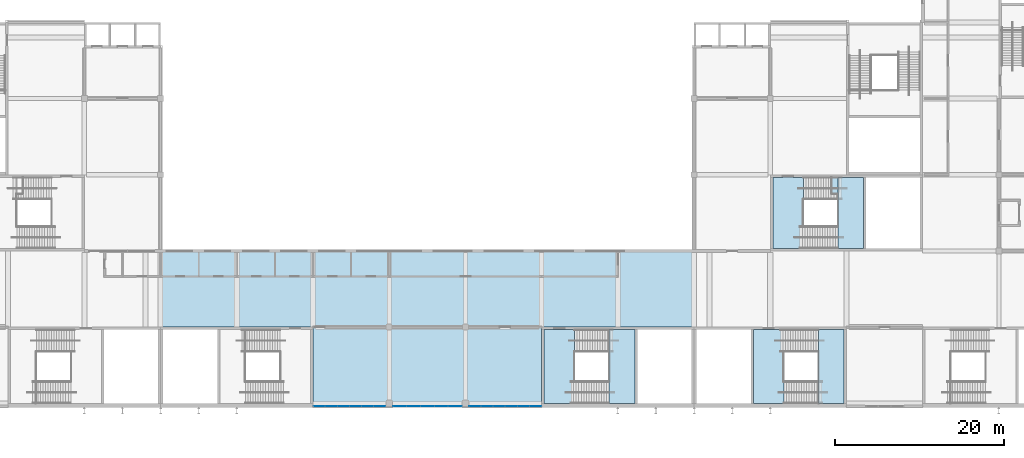
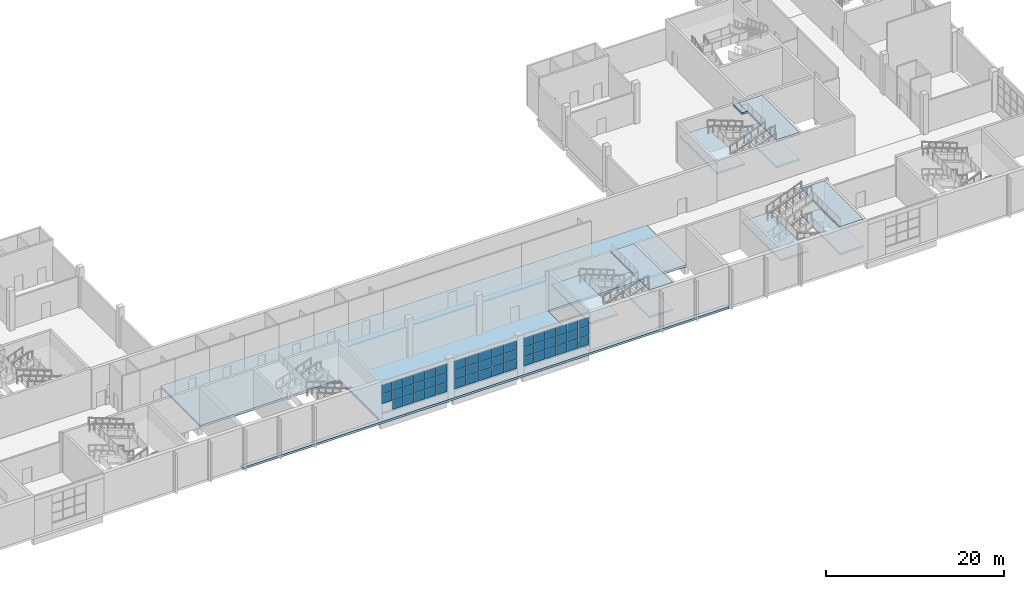
# One storey, part 27 of 84: 50 plates, 11 slabs, 6 elements without a shape of their own.
"""IFC4 building model written with IfcOpenShell, lengths in metres."""

from ifc_helpers import new_model, si_unit, direction, frame, origin, origin_2d, place, context, subcontext, project, spatial, polyline, rectangle, outline, extrude, material, layer, layer_set, type_object, element, aggregate, save


model = new_model("IFC4")

# Units and contexts
model_context = context("Model", 3, precision=1e-05, world=origin(), true_north=direction((0.0, 1.0)))
body_context = subcontext(model_context, "Body", "Model", "MODEL_VIEW")
ifc_project = project(units=[si_unit("LENGTHUNIT", "METRE"), si_unit("AREAUNIT", "SQUARE_METRE"), si_unit("VOLUMEUNIT", "CUBIC_METRE"), si_unit("PLANEANGLEUNIT", "RADIAN"), si_unit("MASSUNIT", "GRAM", prefix="KILO")], contexts=[model_context])

# Site, building, storey
site_placement = place(None, origin())
site = spatial("IfcSite", under=ifc_project, at=site_placement, CompositionType="ELEMENT")
building_placement = place(site_placement, origin())
building = spatial("IfcBuilding", under=site, at=building_placement, Name="Silverbay Arena", CompositionType="ELEMENT")
storey_placement = place(building_placement, frame((0.0, 0.0, 28.0)))
storey = spatial("IfcBuildingStorey", under=building, at=storey_placement, Name="L04", CompositionType="ELEMENT", Elevation=28.0)

# Curtain wall, plates
ifc_material_1 = material(Name="Aluminium framed curtain wall", Category="aluminium")
curtain_wall_type_1 = type_object("IfcCurtainWallType", Name="Curtain wall 8600 x 3900", PredefinedType="NOTDEFINED", material=ifc_material_1)
curtain_wall_1_placement = place(storey_placement, origin())
curtain_wall_1 = element("IfcCurtainWall", 1, at=curtain_wall_1_placement, inside=storey, type_object=curtain_wall_type_1, Name="South curtain wall L04 bay 8", PredefinedType="NOTDEFINED")
ifc_material_2 = material(Name="Laminated glass", Category="glass")
ifc_layer_1 = layer(ifc_material_2, 0.028076171875)
ifc_layer_set_1 = layer_set([ifc_layer_1], Name="Laminated glass")
plate_type = type_object("IfcPlateType", Name="Glass panel 28", PredefinedType="CURTAIN_PANEL", material=ifc_layer_set_1)
plate_1_placement = place(storey_placement, frame((117.731689453125, 17.669921875, 2.324951171875), z_axis=(0.0, 0.0, 1.0), x_axis=(1.0, 0.0, 0.0)))
plate_1 = element("IfcPlate", 2, at=plate_1_placement, type_object=plate_type, Name="CW1 panel 1.2", PredefinedType="CURTAIN_PANEL", context=body_context, shape_type="SweptSolid", body=[
    extrude(rectangle(XDim=1.34326171875, YDim=0.028076171875, at=origin_2d()), origin(), (0.0, 0.0, 1.0), 1.25),
])
plate_2_placement = place(storey_placement, frame((117.731689453125, 17.669921875, 3.625), z_axis=(0.0, 0.0, 1.0), x_axis=(1.0, 0.0, 0.0)))
plate_2 = element("IfcPlate", 3, at=plate_2_placement, type_object=plate_type, Name="CW1 panel 1.3", PredefinedType="CURTAIN_PANEL", context=body_context, shape_type="SweptSolid", body=[
    extrude(rectangle(XDim=1.34326171875, YDim=0.028076171875, at=origin_2d()), origin(), (0.0, 0.0, 1.0), 1.22509765625),
])
plate_3_placement = place(storey_placement, frame((119.14990234375, 17.669921875, 1.050048828125), z_axis=(0.0, 0.0, 1.0), x_axis=(1.0, 0.0, 0.0)))
plate_3 = element("IfcPlate", 4, at=plate_3_placement, type_object=plate_type, Name="CW1 panel 2.1", PredefinedType="CURTAIN_PANEL", context=body_context, shape_type="SweptSolid", body=[
    extrude(rectangle(XDim=1.373291015625, YDim=0.028076171875, at=origin_2d()), origin(), (0.0, 0.0, 1.0), 1.22509765625),
])
plate_4_placement = place(storey_placement, frame((119.14990234375, 17.669921875, 2.324951171875), z_axis=(0.0, 0.0, 1.0), x_axis=(1.0, 0.0, 0.0)))
plate_4 = element("IfcPlate", 5, at=plate_4_placement, type_object=plate_type, Name="CW1 panel 2.2", PredefinedType="CURTAIN_PANEL", context=body_context, shape_type="SweptSolid", body=[
    extrude(rectangle(XDim=1.373291015625, YDim=0.028076171875, at=origin_2d()), origin(), (0.0, 0.0, 1.0), 1.25),
])
plate_5_placement = place(storey_placement, frame((119.14990234375, 17.669921875, 3.625), z_axis=(0.0, 0.0, 1.0), x_axis=(1.0, 0.0, 0.0)))
plate_5 = element("IfcPlate", 6, at=plate_5_placement, type_object=plate_type, Name="CW1 panel 2.3", PredefinedType="CURTAIN_PANEL", context=body_context, shape_type="SweptSolid", body=[
    extrude(rectangle(XDim=1.373291015625, YDim=0.028076171875, at=origin_2d()), origin(), (0.0, 0.0, 1.0), 1.22509765625),
])
plate_6_placement = place(storey_placement, frame((120.583251953125, 17.669921875, 1.050048828125), z_axis=(0.0, 0.0, 1.0), x_axis=(1.0, 0.0, 0.0)))
plate_6 = element("IfcPlate", 7, at=plate_6_placement, type_object=plate_type, Name="CW1 panel 3.1", PredefinedType="CURTAIN_PANEL", context=body_context, shape_type="SweptSolid", body=[
    extrude(rectangle(XDim=1.373291015625, YDim=0.028076171875, at=origin_2d()), origin(), (0.0, 0.0, 1.0), 1.22509765625),
])
plate_7_placement = place(storey_placement, frame((120.583251953125, 17.669921875, 2.324951171875), z_axis=(0.0, 0.0, 1.0), x_axis=(1.0, 0.0, 0.0)))
plate_7 = element("IfcPlate", 8, at=plate_7_placement, type_object=plate_type, Name="CW1 panel 3.2", PredefinedType="CURTAIN_PANEL", context=body_context, shape_type="SweptSolid", body=[
    extrude(rectangle(XDim=1.373291015625, YDim=0.028076171875, at=origin_2d()), origin(), (0.0, 0.0, 1.0), 1.25),
])
plate_8_placement = place(storey_placement, frame((120.583251953125, 17.669921875, 3.625), z_axis=(0.0, 0.0, 1.0), x_axis=(1.0, 0.0, 0.0)))
plate_8 = element("IfcPlate", 9, at=plate_8_placement, type_object=plate_type, Name="CW1 panel 3.3", PredefinedType="CURTAIN_PANEL", context=body_context, shape_type="SweptSolid", body=[
    extrude(rectangle(XDim=1.373291015625, YDim=0.028076171875, at=origin_2d()), origin(), (0.0, 0.0, 1.0), 1.22509765625),
])
plate_9_placement = place(storey_placement, frame((122.0166015625, 17.669921875, 1.050048828125), z_axis=(0.0, 0.0, 1.0), x_axis=(1.0, 0.0, 0.0)))
plate_9 = element("IfcPlate", 10, at=plate_9_placement, type_object=plate_type, Name="CW1 panel 4.1", PredefinedType="CURTAIN_PANEL", context=body_context, shape_type="SweptSolid", body=[
    extrude(rectangle(XDim=1.373291015625, YDim=0.028076171875, at=origin_2d()), origin(), (0.0, 0.0, 1.0), 1.22509765625),
])
plate_10_placement = place(storey_placement, frame((122.0166015625, 17.669921875, 2.324951171875), z_axis=(0.0, 0.0, 1.0), x_axis=(1.0, 0.0, 0.0)))
plate_10 = element("IfcPlate", 11, at=plate_10_placement, type_object=plate_type, Name="CW1 panel 4.2", PredefinedType="CURTAIN_PANEL", context=body_context, shape_type="SweptSolid", body=[
    extrude(rectangle(XDim=1.373291015625, YDim=0.028076171875, at=origin_2d()), origin(), (0.0, 0.0, 1.0), 1.25),
])
plate_11_placement = place(storey_placement, frame((122.0166015625, 17.669921875, 3.625), z_axis=(0.0, 0.0, 1.0), x_axis=(1.0, 0.0, 0.0)))
plate_11 = element("IfcPlate", 12, at=plate_11_placement, type_object=plate_type, Name="CW1 panel 4.3", PredefinedType="CURTAIN_PANEL", context=body_context, shape_type="SweptSolid", body=[
    extrude(rectangle(XDim=1.373291015625, YDim=0.028076171875, at=origin_2d()), origin(), (0.0, 0.0, 1.0), 1.22509765625),
])
plate_12_placement = place(storey_placement, frame((123.449951171875, 17.669921875, 1.050048828125), z_axis=(0.0, 0.0, 1.0), x_axis=(1.0, 0.0, 0.0)))
plate_12 = element("IfcPlate", 13, at=plate_12_placement, type_object=plate_type, Name="CW1 panel 5.1", PredefinedType="CURTAIN_PANEL", context=body_context, shape_type="SweptSolid", body=[
    extrude(rectangle(XDim=1.373291015625, YDim=0.028076171875, at=origin_2d()), origin(), (0.0, 0.0, 1.0), 1.22509765625),
])
plate_13_placement = place(storey_placement, frame((123.449951171875, 17.669921875, 2.324951171875), z_axis=(0.0, 0.0, 1.0), x_axis=(1.0, 0.0, 0.0)))
plate_13 = element("IfcPlate", 14, at=plate_13_placement, type_object=plate_type, Name="CW1 panel 5.2", PredefinedType="CURTAIN_PANEL", context=body_context, shape_type="SweptSolid", body=[
    extrude(rectangle(XDim=1.373291015625, YDim=0.028076171875, at=origin_2d()), origin(), (0.0, 0.0, 1.0), 1.25),
])
plate_14_placement = place(storey_placement, frame((123.449951171875, 17.669921875, 3.625), z_axis=(0.0, 0.0, 1.0), x_axis=(1.0, 0.0, 0.0)))
plate_14 = element("IfcPlate", 15, at=plate_14_placement, type_object=plate_type, Name="CW1 panel 5.3", PredefinedType="CURTAIN_PANEL", context=body_context, shape_type="SweptSolid", body=[
    extrude(rectangle(XDim=1.373291015625, YDim=0.028076171875, at=origin_2d()), origin(), (0.0, 0.0, 1.0), 1.22509765625),
])
plate_15_placement = place(storey_placement, frame((124.868408203125, 17.669921875, 1.050048828125), z_axis=(0.0, 0.0, 1.0), x_axis=(1.0, 0.0, 0.0)))
plate_15 = element("IfcPlate", 16, at=plate_15_placement, type_object=plate_type, Name="CW1 panel 6.1", PredefinedType="CURTAIN_PANEL", context=body_context, shape_type="SweptSolid", body=[
    extrude(rectangle(XDim=1.34326171875, YDim=0.028076171875, at=origin_2d()), origin(), (0.0, 0.0, 1.0), 1.22509765625),
])
plate_16_placement = place(storey_placement, frame((124.868408203125, 17.669921875, 2.324951171875), z_axis=(0.0, 0.0, 1.0), x_axis=(1.0, 0.0, 0.0)))
plate_16 = element("IfcPlate", 17, at=plate_16_placement, type_object=plate_type, Name="CW1 panel 6.2", PredefinedType="CURTAIN_PANEL", context=body_context, shape_type="SweptSolid", body=[
    extrude(rectangle(XDim=1.34326171875, YDim=0.028076171875, at=origin_2d()), origin(), (0.0, 0.0, 1.0), 1.25),
])
plate_17_placement = place(storey_placement, frame((124.868408203125, 17.669921875, 3.625), z_axis=(0.0, 0.0, 1.0), x_axis=(1.0, 0.0, 0.0)))
plate_17 = element("IfcPlate", 18, at=plate_17_placement, type_object=plate_type, Name="CW1 panel 6.3", PredefinedType="CURTAIN_PANEL", context=body_context, shape_type="SweptSolid", body=[
    extrude(rectangle(XDim=1.34326171875, YDim=0.028076171875, at=origin_2d()), origin(), (0.0, 0.0, 1.0), 1.22509765625),
])
aggregate(curtain_wall_1, [plate_1, plate_2, plate_3, plate_4, plate_5, plate_6, plate_7, plate_8, plate_9, plate_10, plate_11, plate_12, plate_13, plate_14, plate_15, plate_16, plate_17])

ifc_material_3 = material(Name="Aluminium framed curtain wall", Category="aluminium")
curtain_wall_type_2 = type_object("IfcCurtainWallType", Name="Curtain wall 8200 x 3900", PredefinedType="NOTDEFINED", material=ifc_material_3)
curtain_wall_2_placement = place(storey_placement, origin())
curtain_wall_2 = element("IfcCurtainWall", 19, at=curtain_wall_2_placement, inside=storey, type_object=curtain_wall_type_2, Name="South curtain wall L04 bay 9", PredefinedType="NOTDEFINED")
plate_18_placement = place(storey_placement, frame((127.235107421875, 17.669921875, 1.050048828125), z_axis=(0.0, 0.0, 1.0), x_axis=(1.0, 0.0, 0.0)))
plate_18 = element("IfcPlate", 20, at=plate_18_placement, type_object=plate_type, Name="CW16 panel 1.1", PredefinedType="CURTAIN_PANEL", context=body_context, shape_type="SweptSolid", body=[
    extrude(rectangle(XDim=1.550048828125, YDim=0.028076171875, at=origin_2d()), origin(), (0.0, 0.0, 1.0), 1.22509765625),
])
plate_19_placement = place(storey_placement, frame((127.235107421875, 17.669921875, 2.324951171875), z_axis=(0.0, 0.0, 1.0), x_axis=(1.0, 0.0, 0.0)))
plate_19 = element("IfcPlate", 21, at=plate_19_placement, type_object=plate_type, Name="CW16 panel 1.2", PredefinedType="CURTAIN_PANEL", context=body_context, shape_type="SweptSolid", body=[
    extrude(rectangle(XDim=1.550048828125, YDim=0.028076171875, at=origin_2d()), origin(), (0.0, 0.0, 1.0), 1.25),
])
plate_20_placement = place(storey_placement, frame((127.235107421875, 17.669921875, 3.625), z_axis=(0.0, 0.0, 1.0), x_axis=(1.0, 0.0, 0.0)))
plate_20 = element("IfcPlate", 22, at=plate_20_placement, type_object=plate_type, Name="CW16 panel 1.3", PredefinedType="CURTAIN_PANEL", context=body_context, shape_type="SweptSolid", body=[
    extrude(rectangle(XDim=1.550048828125, YDim=0.028076171875, at=origin_2d()), origin(), (0.0, 0.0, 1.0), 1.22509765625),
])
plate_21_placement = place(storey_placement, frame((128.860107421875, 17.669921875, 1.050048828125), z_axis=(0.0, 0.0, 1.0), x_axis=(1.0, 0.0, 0.0)))
plate_21 = element("IfcPlate", 23, at=plate_21_placement, type_object=plate_type, Name="CW16 panel 2.1", PredefinedType="CURTAIN_PANEL", context=body_context, shape_type="SweptSolid", body=[
    extrude(rectangle(XDim=1.580078125, YDim=0.028076171875, at=origin_2d()), origin(), (0.0, 0.0, 1.0), 1.22509765625),
])
plate_22_placement = place(storey_placement, frame((128.860107421875, 17.669921875, 2.324951171875), z_axis=(0.0, 0.0, 1.0), x_axis=(1.0, 0.0, 0.0)))
plate_22 = element("IfcPlate", 24, at=plate_22_placement, type_object=plate_type, Name="CW16 panel 2.2", PredefinedType="CURTAIN_PANEL", context=body_context, shape_type="SweptSolid", body=[
    extrude(rectangle(XDim=1.580078125, YDim=0.028076171875, at=origin_2d()), origin(), (0.0, 0.0, 1.0), 1.25),
])
plate_23_placement = place(storey_placement, frame((128.860107421875, 17.669921875, 3.625), z_axis=(0.0, 0.0, 1.0), x_axis=(1.0, 0.0, 0.0)))
plate_23 = element("IfcPlate", 25, at=plate_23_placement, type_object=plate_type, Name="CW16 panel 2.3", PredefinedType="CURTAIN_PANEL", context=body_context, shape_type="SweptSolid", body=[
    extrude(rectangle(XDim=1.580078125, YDim=0.028076171875, at=origin_2d()), origin(), (0.0, 0.0, 1.0), 1.22509765625),
])
plate_24_placement = place(storey_placement, frame((130.5, 17.669921875, 1.050048828125), z_axis=(0.0, 0.0, 1.0), x_axis=(1.0, 0.0, 0.0)))
plate_24 = element("IfcPlate", 26, at=plate_24_placement, type_object=plate_type, Name="CW16 panel 3.1", PredefinedType="CURTAIN_PANEL", context=body_context, shape_type="SweptSolid", body=[
    extrude(rectangle(XDim=1.580078125, YDim=0.028076171875, at=origin_2d()), origin(), (0.0, 0.0, 1.0), 1.22509765625),
])
plate_25_placement = place(storey_placement, frame((130.5, 17.669921875, 2.324951171875), z_axis=(0.0, 0.0, 1.0), x_axis=(1.0, 0.0, 0.0)))
plate_25 = element("IfcPlate", 27, at=plate_25_placement, type_object=plate_type, Name="CW16 panel 3.2", PredefinedType="CURTAIN_PANEL", context=body_context, shape_type="SweptSolid", body=[
    extrude(rectangle(XDim=1.580078125, YDim=0.028076171875, at=origin_2d()), origin(), (0.0, 0.0, 1.0), 1.25),
])
plate_26_placement = place(storey_placement, frame((130.5, 17.669921875, 3.625), z_axis=(0.0, 0.0, 1.0), x_axis=(1.0, 0.0, 0.0)))
plate_26 = element("IfcPlate", 28, at=plate_26_placement, type_object=plate_type, Name="CW16 panel 3.3", PredefinedType="CURTAIN_PANEL", context=body_context, shape_type="SweptSolid", body=[
    extrude(rectangle(XDim=1.580078125, YDim=0.028076171875, at=origin_2d()), origin(), (0.0, 0.0, 1.0), 1.22509765625),
])
plate_27_placement = place(storey_placement, frame((132.139892578125, 17.669921875, 1.050048828125), z_axis=(0.0, 0.0, 1.0), x_axis=(1.0, 0.0, 0.0)))
plate_27 = element("IfcPlate", 29, at=plate_27_placement, type_object=plate_type, Name="CW16 panel 4.1", PredefinedType="CURTAIN_PANEL", context=body_context, shape_type="SweptSolid", body=[
    extrude(rectangle(XDim=1.580078125, YDim=0.028076171875, at=origin_2d()), origin(), (0.0, 0.0, 1.0), 1.22509765625),
])
plate_28_placement = place(storey_placement, frame((132.139892578125, 17.669921875, 2.324951171875), z_axis=(0.0, 0.0, 1.0), x_axis=(1.0, 0.0, 0.0)))
plate_28 = element("IfcPlate", 30, at=plate_28_placement, type_object=plate_type, Name="CW16 panel 4.2", PredefinedType="CURTAIN_PANEL", context=body_context, shape_type="SweptSolid", body=[
    extrude(rectangle(XDim=1.580078125, YDim=0.028076171875, at=origin_2d()), origin(), (0.0, 0.0, 1.0), 1.25),
])
plate_29_placement = place(storey_placement, frame((132.139892578125, 17.669921875, 3.625), z_axis=(0.0, 0.0, 1.0), x_axis=(1.0, 0.0, 0.0)))
plate_29 = element("IfcPlate", 31, at=plate_29_placement, type_object=plate_type, Name="CW16 panel 4.3", PredefinedType="CURTAIN_PANEL", context=body_context, shape_type="SweptSolid", body=[
    extrude(rectangle(XDim=1.580078125, YDim=0.028076171875, at=origin_2d()), origin(), (0.0, 0.0, 1.0), 1.22509765625),
])
plate_30_placement = place(storey_placement, frame((133.764892578125, 17.669921875, 1.050048828125), z_axis=(0.0, 0.0, 1.0), x_axis=(1.0, 0.0, 0.0)))
plate_30 = element("IfcPlate", 32, at=plate_30_placement, type_object=plate_type, Name="CW16 panel 5.1", PredefinedType="CURTAIN_PANEL", context=body_context, shape_type="SweptSolid", body=[
    extrude(rectangle(XDim=1.550048828125, YDim=0.028076171875, at=origin_2d()), origin(), (0.0, 0.0, 1.0), 1.22509765625),
])
plate_31_placement = place(storey_placement, frame((133.764892578125, 17.669921875, 2.324951171875), z_axis=(0.0, 0.0, 1.0), x_axis=(1.0, 0.0, 0.0)))
plate_31 = element("IfcPlate", 33, at=plate_31_placement, type_object=plate_type, Name="CW16 panel 5.2", PredefinedType="CURTAIN_PANEL", context=body_context, shape_type="SweptSolid", body=[
    extrude(rectangle(XDim=1.550048828125, YDim=0.028076171875, at=origin_2d()), origin(), (0.0, 0.0, 1.0), 1.25),
])
plate_32_placement = place(storey_placement, frame((133.764892578125, 17.669921875, 3.625), z_axis=(0.0, 0.0, 1.0), x_axis=(1.0, 0.0, 0.0)))
plate_32 = element("IfcPlate", 34, at=plate_32_placement, type_object=plate_type, Name="CW16 panel 5.3", PredefinedType="CURTAIN_PANEL", context=body_context, shape_type="SweptSolid", body=[
    extrude(rectangle(XDim=1.550048828125, YDim=0.028076171875, at=origin_2d()), origin(), (0.0, 0.0, 1.0), 1.22509765625),
])
aggregate(curtain_wall_2, [plate_18, plate_19, plate_20, plate_21, plate_22, plate_23, plate_24, plate_25, plate_26, plate_27, plate_28, plate_29, plate_30, plate_31, plate_32])

curtain_wall_3_placement = place(storey_placement, origin())
curtain_wall_3 = element("IfcCurtainWall", 35, at=curtain_wall_3_placement, inside=storey, type_object=curtain_wall_type_1, Name="South curtain wall L04 bay 10", PredefinedType="NOTDEFINED")
plate_33_placement = place(storey_placement, frame((136.131591796875, 17.669921875, 1.050048828125), z_axis=(0.0, 0.0, 1.0), x_axis=(1.0, 0.0, 0.0)))
plate_33 = element("IfcPlate", 36, at=plate_33_placement, type_object=plate_type, Name="CW1 panel 1.1", PredefinedType="CURTAIN_PANEL", context=body_context, shape_type="SweptSolid", body=[
    extrude(rectangle(XDim=1.34326171875, YDim=0.028076171875, at=origin_2d()), origin(), (0.0, 0.0, 1.0), 1.22509765625),
])
plate_34_placement = place(storey_placement, frame((136.131591796875, 17.669921875, 2.324951171875), z_axis=(0.0, 0.0, 1.0), x_axis=(1.0, 0.0, 0.0)))
plate_34 = element("IfcPlate", 37, at=plate_34_placement, type_object=plate_type, Name="CW1 panel 1.2", PredefinedType="CURTAIN_PANEL", context=body_context, shape_type="SweptSolid", body=[
    extrude(rectangle(XDim=1.34326171875, YDim=0.028076171875, at=origin_2d()), origin(), (0.0, 0.0, 1.0), 1.25),
])
plate_35_placement = place(storey_placement, frame((136.131591796875, 17.669921875, 3.625), z_axis=(0.0, 0.0, 1.0), x_axis=(1.0, 0.0, 0.0)))
plate_35 = element("IfcPlate", 38, at=plate_35_placement, type_object=plate_type, Name="CW1 panel 1.3", PredefinedType="CURTAIN_PANEL", context=body_context, shape_type="SweptSolid", body=[
    extrude(rectangle(XDim=1.34326171875, YDim=0.028076171875, at=origin_2d()), origin(), (0.0, 0.0, 1.0), 1.22509765625),
])
plate_36_placement = place(storey_placement, frame((137.550048828125, 17.669921875, 1.050048828125), z_axis=(0.0, 0.0, 1.0), x_axis=(1.0, 0.0, 0.0)))
plate_36 = element("IfcPlate", 39, at=plate_36_placement, type_object=plate_type, Name="CW1 panel 2.1", PredefinedType="CURTAIN_PANEL", context=body_context, shape_type="SweptSolid", body=[
    extrude(rectangle(XDim=1.373291015625, YDim=0.028076171875, at=origin_2d()), origin(), (0.0, 0.0, 1.0), 1.22509765625),
])
plate_37_placement = place(storey_placement, frame((137.550048828125, 17.669921875, 2.324951171875), z_axis=(0.0, 0.0, 1.0), x_axis=(1.0, 0.0, 0.0)))
plate_37 = element("IfcPlate", 40, at=plate_37_placement, type_object=plate_type, Name="CW1 panel 2.2", PredefinedType="CURTAIN_PANEL", context=body_context, shape_type="SweptSolid", body=[
    extrude(rectangle(XDim=1.373291015625, YDim=0.028076171875, at=origin_2d()), origin(), (0.0, 0.0, 1.0), 1.25),
])
plate_38_placement = place(storey_placement, frame((137.550048828125, 17.669921875, 3.625), z_axis=(0.0, 0.0, 1.0), x_axis=(1.0, 0.0, 0.0)))
plate_38 = element("IfcPlate", 41, at=plate_38_placement, type_object=plate_type, Name="CW1 panel 2.3", PredefinedType="CURTAIN_PANEL", context=body_context, shape_type="SweptSolid", body=[
    extrude(rectangle(XDim=1.373291015625, YDim=0.028076171875, at=origin_2d()), origin(), (0.0, 0.0, 1.0), 1.22509765625),
])
plate_39_placement = place(storey_placement, frame((138.9833984375, 17.669921875, 1.050048828125), z_axis=(0.0, 0.0, 1.0), x_axis=(1.0, 0.0, 0.0)))
plate_39 = element("IfcPlate", 42, at=plate_39_placement, type_object=plate_type, Name="CW1 panel 3.1", PredefinedType="CURTAIN_PANEL", context=body_context, shape_type="SweptSolid", body=[
    extrude(rectangle(XDim=1.373291015625, YDim=0.028076171875, at=origin_2d()), origin(), (0.0, 0.0, 1.0), 1.22509765625),
])
plate_40_placement = place(storey_placement, frame((138.9833984375, 17.669921875, 2.324951171875), z_axis=(0.0, 0.0, 1.0), x_axis=(1.0, 0.0, 0.0)))
plate_40 = element("IfcPlate", 43, at=plate_40_placement, type_object=plate_type, Name="CW1 panel 3.2", PredefinedType="CURTAIN_PANEL", context=body_context, shape_type="SweptSolid", body=[
    extrude(rectangle(XDim=1.373291015625, YDim=0.028076171875, at=origin_2d()), origin(), (0.0, 0.0, 1.0), 1.25),
])
plate_41_placement = place(storey_placement, frame((138.9833984375, 17.669921875, 3.625), z_axis=(0.0, 0.0, 1.0), x_axis=(1.0, 0.0, 0.0)))
plate_41 = element("IfcPlate", 44, at=plate_41_placement, type_object=plate_type, Name="CW1 panel 3.3", PredefinedType="CURTAIN_PANEL", context=body_context, shape_type="SweptSolid", body=[
    extrude(rectangle(XDim=1.373291015625, YDim=0.028076171875, at=origin_2d()), origin(), (0.0, 0.0, 1.0), 1.22509765625),
])
plate_42_placement = place(storey_placement, frame((140.416748046875, 17.669921875, 1.050048828125), z_axis=(0.0, 0.0, 1.0), x_axis=(1.0, 0.0, 0.0)))
plate_42 = element("IfcPlate", 45, at=plate_42_placement, type_object=plate_type, Name="CW1 panel 4.1", PredefinedType="CURTAIN_PANEL", context=body_context, shape_type="SweptSolid", body=[
    extrude(rectangle(XDim=1.373291015625, YDim=0.028076171875, at=origin_2d()), origin(), (0.0, 0.0, 1.0), 1.22509765625),
])
plate_43_placement = place(storey_placement, frame((140.416748046875, 17.669921875, 2.324951171875), z_axis=(0.0, 0.0, 1.0), x_axis=(1.0, 0.0, 0.0)))
plate_43 = element("IfcPlate", 46, at=plate_43_placement, type_object=plate_type, Name="CW1 panel 4.2", PredefinedType="CURTAIN_PANEL", context=body_context, shape_type="SweptSolid", body=[
    extrude(rectangle(XDim=1.373291015625, YDim=0.028076171875, at=origin_2d()), origin(), (0.0, 0.0, 1.0), 1.25),
])
plate_44_placement = place(storey_placement, frame((140.416748046875, 17.669921875, 3.625), z_axis=(0.0, 0.0, 1.0), x_axis=(1.0, 0.0, 0.0)))
plate_44 = element("IfcPlate", 47, at=plate_44_placement, type_object=plate_type, Name="CW1 panel 4.3", PredefinedType="CURTAIN_PANEL", context=body_context, shape_type="SweptSolid", body=[
    extrude(rectangle(XDim=1.373291015625, YDim=0.028076171875, at=origin_2d()), origin(), (0.0, 0.0, 1.0), 1.22509765625),
])
plate_45_placement = place(storey_placement, frame((141.85009765625, 17.669921875, 1.050048828125), z_axis=(0.0, 0.0, 1.0), x_axis=(1.0, 0.0, 0.0)))
plate_45 = element("IfcPlate", 48, at=plate_45_placement, type_object=plate_type, Name="CW1 panel 5.1", PredefinedType="CURTAIN_PANEL", context=body_context, shape_type="SweptSolid", body=[
    extrude(rectangle(XDim=1.373291015625, YDim=0.028076171875, at=origin_2d()), origin(), (0.0, 0.0, 1.0), 1.22509765625),
])
plate_46_placement = place(storey_placement, frame((141.85009765625, 17.669921875, 2.324951171875), z_axis=(0.0, 0.0, 1.0), x_axis=(1.0, 0.0, 0.0)))
plate_46 = element("IfcPlate", 49, at=plate_46_placement, type_object=plate_type, Name="CW1 panel 5.2", PredefinedType="CURTAIN_PANEL", context=body_context, shape_type="SweptSolid", body=[
    extrude(rectangle(XDim=1.373291015625, YDim=0.028076171875, at=origin_2d()), origin(), (0.0, 0.0, 1.0), 1.25),
])
plate_47_placement = place(storey_placement, frame((141.85009765625, 17.669921875, 3.625), z_axis=(0.0, 0.0, 1.0), x_axis=(1.0, 0.0, 0.0)))
plate_47 = element("IfcPlate", 50, at=plate_47_placement, type_object=plate_type, Name="CW1 panel 5.3", PredefinedType="CURTAIN_PANEL", context=body_context, shape_type="SweptSolid", body=[
    extrude(rectangle(XDim=1.373291015625, YDim=0.028076171875, at=origin_2d()), origin(), (0.0, 0.0, 1.0), 1.22509765625),
])
plate_48_placement = place(storey_placement, frame((143.268310546875, 17.669921875, 1.050048828125), z_axis=(0.0, 0.0, 1.0), x_axis=(1.0, 0.0, 0.0)))
plate_48 = element("IfcPlate", 51, at=plate_48_placement, type_object=plate_type, Name="CW1 panel 6.1", PredefinedType="CURTAIN_PANEL", context=body_context, shape_type="SweptSolid", body=[
    extrude(rectangle(XDim=1.34326171875, YDim=0.028076171875, at=origin_2d()), origin(), (0.0, 0.0, 1.0), 1.22509765625),
])
plate_49_placement = place(storey_placement, frame((143.268310546875, 17.669921875, 2.324951171875), z_axis=(0.0, 0.0, 1.0), x_axis=(1.0, 0.0, 0.0)))
plate_49 = element("IfcPlate", 52, at=plate_49_placement, type_object=plate_type, Name="CW1 panel 6.2", PredefinedType="CURTAIN_PANEL", context=body_context, shape_type="SweptSolid", body=[
    extrude(rectangle(XDim=1.34326171875, YDim=0.028076171875, at=origin_2d()), origin(), (0.0, 0.0, 1.0), 1.25),
])
plate_50_placement = place(storey_placement, frame((143.268310546875, 17.669921875, 3.625), z_axis=(0.0, 0.0, 1.0), x_axis=(1.0, 0.0, 0.0)))
plate_50 = element("IfcPlate", 53, at=plate_50_placement, type_object=plate_type, Name="CW1 panel 6.3", PredefinedType="CURTAIN_PANEL", context=body_context, shape_type="SweptSolid", body=[
    extrude(rectangle(XDim=1.34326171875, YDim=0.028076171875, at=origin_2d()), origin(), (0.0, 0.0, 1.0), 1.22509765625),
])
aggregate(curtain_wall_3, [plate_33, plate_34, plate_35, plate_36, plate_37, plate_38, plate_39, plate_40, plate_41, plate_42, plate_43, plate_44, plate_45, plate_46, plate_47, plate_48, plate_49, plate_50])

# Slab
ifc_material_4 = material(Name="Concrete Grade C45", Category="concrete")
ifc_layer_2 = layer(ifc_material_4, 0.300048828125)
ifc_layer_set_2 = layer_set([ifc_layer_2], Name="Concrete Grade C45")
slab_type_1 = type_object("IfcSlabType", Name="RC floor slab 300", PredefinedType="FLOOR", material=ifc_layer_set_2)
slab_1_placement = place(storey_placement, frame((0.0, 0.0, -0.300048828125)))
element("IfcSlab", 54, at=slab_1_placement, inside=storey, type_object=slab_type_1, Name="Floor slab L04 unit 2", PredefinedType="FLOOR", context=body_context, shape_type="SweptSolid", body=[
    extrude(outline(polyline([(117.0, 18.0), (117.0, 27.0), (99.0, 27.0), (99.0, 35.97509765625), (162.0, 35.97509765625), (162.0, 27.0), (144.0, 27.0), (144.0, 18.0), (162.0, 18.0), (162.0, 17.5), (99.0, 17.5), (99.0, 18.0), (117.0, 18.0)])), origin(), (0.0, 0.0, 1.0), 0.300048828125),
])

# Stair, slab
ifc_material_5 = material(Name="Concrete Grade C45", Category="concrete")
stair_type = type_object("IfcStairType", Name="Stair 2600 wide 48 risers 114.6 x 300", PredefinedType="HALF_TURN_STAIR", material=ifc_material_5)
stair_1_placement = place(storey_placement, origin())
stair_1 = element("IfcStair", 55, at=stair_1_placement, inside=storey, type_object=stair_type, Name="Stair ST-SE1 L04 to L05", PredefinedType="HALF_TURN_STAIR")
ifc_material_6 = material(Name="Concrete Grade C45", Category="concrete")
ifc_layer_3 = layer(ifc_material_6, 0.25)
ifc_layer_set_3 = layer_set([ifc_layer_3], Name="Concrete Grade C45")
slab_type_2 = type_object("IfcSlabType", Name="Stair arrival platform RC 250", PredefinedType="FLOOR", material=ifc_layer_set_3)
slab_2_placement = place(storey_placement, frame((0.0, 0.0, 5.25)))
slab_2 = element("IfcSlab", 56, at=slab_2_placement, type_object=slab_type_2, Name="Stair ST-SE1 L04 to L05 arrival platform 4", PredefinedType="FLOOR", context=body_context, shape_type="SweptSolid", body=[
    extrude(outline(polyline([(178.299560546875, 44.699951171875), (178.9794921875, 44.699951171875), (178.9794921875, 42.800048828125), (178.299560546875, 42.800048828125), (178.299560546875, 44.699951171875)])), origin(), (0.0, 0.0, 1.0), 0.25),
])

# Stair, slabs
stair_2_placement = place(storey_placement, origin())
stair_2 = element("IfcStair", 57, at=stair_2_placement, inside=storey, type_object=stair_type, Name="Stair ST-S3 L04 to L05", PredefinedType="HALF_TURN_STAIR")
ifc_material_7 = material(Name="Concrete Grade C45", Category="concrete")
ifc_layer_4 = layer(ifc_material_7, 0.25)
ifc_layer_set_4 = layer_set([ifc_layer_4], Name="Concrete Grade C45")
slab_type_3 = type_object("IfcSlabType", Name="Stair landing RC 250", PredefinedType="LANDING", material=ifc_layer_set_4)
slab_3_placement = place(storey_placement, frame((0.0, 0.0, 1.583251953125)))
slab_3 = element("IfcSlab", 58, at=slab_3_placement, type_object=slab_type_3, Name="Stair ST-S3 L04 to L05 landing 1", PredefinedType="LANDING", context=body_context, shape_type="SweptSolid", body=[
    extrude(outline(polyline([(151.9794921875, 26.699951171875), (155.0, 26.699951171875), (155.0, 18.0), (151.9794921875, 18.0), (151.9794921875, 26.699951171875)])), origin(), (0.0, 0.0, 1.0), 0.25),
])
slab_4_placement = place(storey_placement, frame((0.0, 0.0, 3.416748046875)))
slab_4 = element("IfcSlab", 59, at=slab_4_placement, type_object=slab_type_3, Name="Stair ST-S3 L04 to L05 landing 2", PredefinedType="LANDING", context=body_context, shape_type="SweptSolid", body=[
    extrude(outline(polyline([(144.300048828125, 26.699951171875), (147.89990234375, 26.699951171875), (147.89990234375, 18.0), (144.300048828125, 18.0), (144.300048828125, 26.699951171875)])), origin(), (0.0, 0.0, 1.0), 0.25),
])
slab_5_placement = place(storey_placement, frame((0.0, 0.0, 5.25)))
slab_5 = element("IfcSlab", 60, at=slab_5_placement, type_object=slab_type_3, Name="Stair ST-S3 L04 to L05 landing 3", PredefinedType="LANDING", context=body_context, shape_type="SweptSolid", body=[
    extrude(outline(polyline([(151.9794921875, 26.699951171875), (155.0, 26.699951171875), (155.0, 18.0), (151.9794921875, 18.0), (151.9794921875, 26.699951171875)])), origin(), (0.0, 0.0, 1.0), 0.25),
])
aggregate(stair_2, [slab_3, slab_4, slab_5])

stair_3_placement = place(storey_placement, origin())
stair_3 = element("IfcStair", 61, at=stair_3_placement, inside=storey, type_object=stair_type, Name="Stair ST-S4 L04 to L05", PredefinedType="HALF_TURN_STAIR")
slab_6_placement = place(storey_placement, frame((0.0, 0.0, 1.583251953125)))
slab_6 = element("IfcSlab", 62, at=slab_6_placement, type_object=slab_type_3, Name="Stair ST-S4 L04 to L05 landing 1", PredefinedType="LANDING", context=body_context, shape_type="SweptSolid", body=[
    extrude(outline(polyline([(176.6796875, 26.699951171875), (179.699951171875, 26.699951171875), (179.699951171875, 18.0), (176.6796875, 18.0), (176.6796875, 26.699951171875)])), origin(), (0.0, 0.0, 1.0), 0.25),
])
slab_7_placement = place(storey_placement, frame((0.0, 0.0, 3.416748046875)))
slab_7 = element("IfcSlab", 63, at=slab_7_placement, type_object=slab_type_3, Name="Stair ST-S4 L04 to L05 landing 2", PredefinedType="LANDING", context=body_context, shape_type="SweptSolid", body=[
    extrude(outline(polyline([(169.0, 26.699951171875), (172.60009765625, 26.699951171875), (172.60009765625, 18.0), (169.0, 18.0), (169.0, 26.699951171875)])), origin(), (0.0, 0.0, 1.0), 0.25),
])
slab_8_placement = place(storey_placement, frame((0.0, 0.0, 5.25)))
slab_8 = element("IfcSlab", 64, at=slab_8_placement, type_object=slab_type_3, Name="Stair ST-S4 L04 to L05 landing 3", PredefinedType="LANDING", context=body_context, shape_type="SweptSolid", body=[
    extrude(outline(polyline([(176.6796875, 26.699951171875), (179.699951171875, 26.699951171875), (179.699951171875, 18.0), (176.6796875, 18.0), (176.6796875, 26.699951171875)])), origin(), (0.0, 0.0, 1.0), 0.25),
])
aggregate(stair_3, [slab_6, slab_7, slab_8])

# Slab
slab_9_placement = place(storey_placement, frame((0.0, 0.0, 1.583251953125)))
slab_9 = element("IfcSlab", 65, at=slab_9_placement, type_object=slab_type_3, Name="Stair ST-SE1 L04 to L05 landing 1", PredefinedType="LANDING", context=body_context, shape_type="SweptSolid", body=[
    extrude(outline(polyline([(178.9794921875, 44.699951171875), (182.0, 44.699951171875), (182.0, 36.300048828125), (178.9794921875, 36.300048828125), (178.9794921875, 44.699951171875)])), origin(), (0.0, 0.0, 1.0), 0.25),
])

slab_10_placement = place(storey_placement, frame((0.0, 0.0, 3.416748046875)))
slab_10 = element("IfcSlab", 66, at=slab_10_placement, type_object=slab_type_3, Name="Stair ST-SE1 L04 to L05 landing 2", PredefinedType="LANDING", context=body_context, shape_type="SweptSolid", body=[
    extrude(outline(polyline([(171.300048828125, 44.699951171875), (174.89990234375, 44.699951171875), (174.89990234375, 36.300048828125), (171.300048828125, 36.300048828125), (171.300048828125, 44.699951171875)])), origin(), (0.0, 0.0, 1.0), 0.25),
])

slab_11_placement = place(storey_placement, frame((0.0, 0.0, 5.25)))
slab_11 = element("IfcSlab", 67, at=slab_11_placement, type_object=slab_type_3, Name="Stair ST-SE1 L04 to L05 landing 3", PredefinedType="LANDING", context=body_context, shape_type="SweptSolid", body=[
    extrude(outline(polyline([(178.9794921875, 44.699951171875), (182.0, 44.699951171875), (182.0, 36.300048828125), (178.9794921875, 36.300048828125), (178.9794921875, 44.699951171875)])), origin(), (0.0, 0.0, 1.0), 0.25),
])

aggregate(stair_1, [slab_9, slab_10, slab_11, slab_2])

save(model, "model.ifc")
